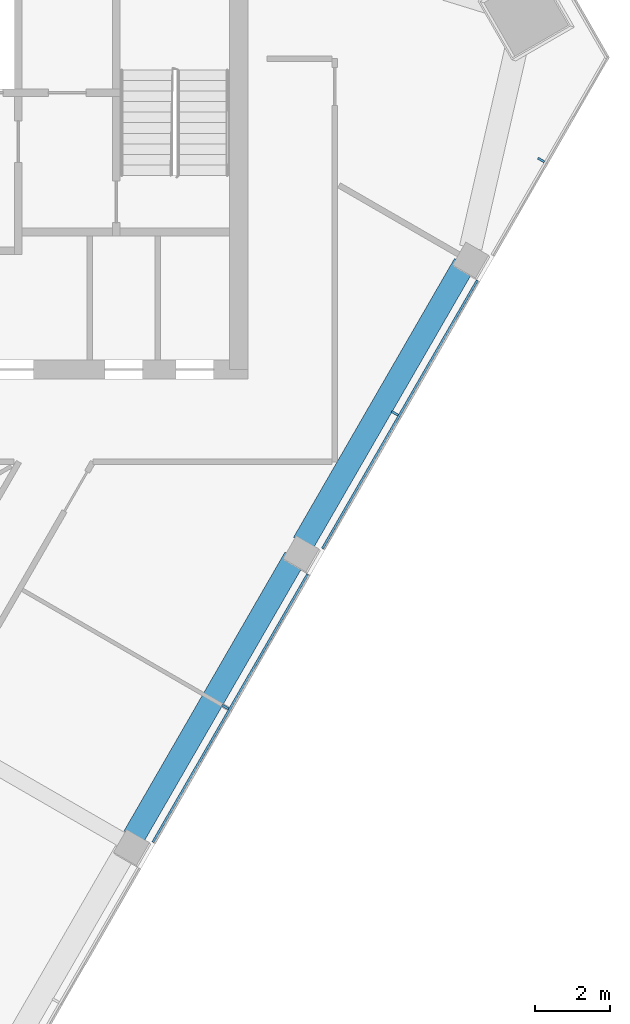
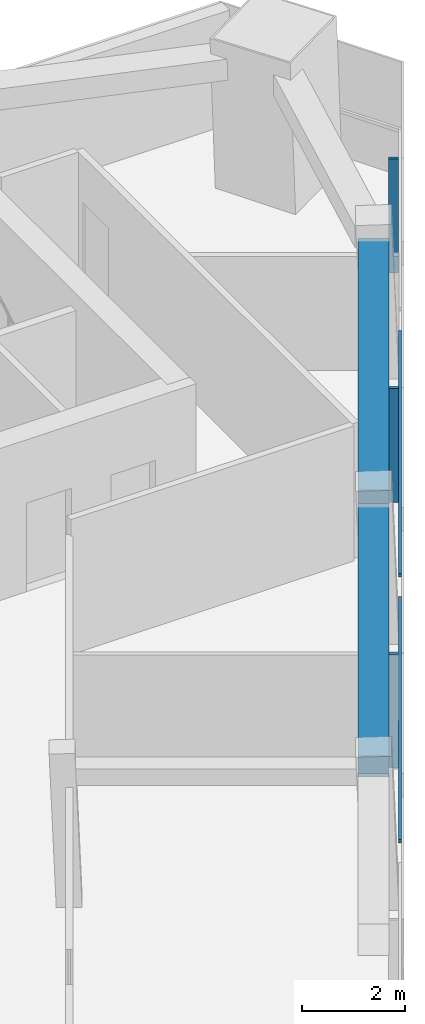
# One storey, part 4 of 9: 5 members, 2 beams, 1 element without a shape of its own.
"""IFC4 building model written with IfcOpenShell, lengths in metres."""

from ifc_helpers import new_model, si_unit, direction, frame, origin, origin_2d, place, context, subcontext, project, spatial, rectangle, extrude, material, layer, layer_set, material_profile, profile_set, type_object, element, aggregate, save


model = new_model("IFC4")

# Units and contexts
model_context = context("Model", 3, precision=1e-05, world=origin(), true_north=direction((0.0, 1.0)))
body_context = subcontext(model_context, "Body", "Model", "MODEL_VIEW")
ifc_project = project(units=[si_unit("LENGTHUNIT", "METRE"), si_unit("AREAUNIT", "SQUARE_METRE"), si_unit("VOLUMEUNIT", "CUBIC_METRE"), si_unit("PLANEANGLEUNIT", "RADIAN"), si_unit("MASSUNIT", "GRAM", prefix="KILO")], contexts=[model_context])

# Site, building, storey
site_placement = place(None, origin())
site = spatial("IfcSite", under=ifc_project, at=site_placement, CompositionType="ELEMENT")
building_placement = place(site_placement, origin())
building = spatial("IfcBuilding", under=site, at=building_placement, Name="Altiplano Prism Tower", CompositionType="ELEMENT")
storey_placement = place(building_placement, frame((0.0, 0.0, 302.199951171875)))
storey = spatial("IfcBuildingStorey", under=building, at=storey_placement, Name="L78", CompositionType="ELEMENT", Elevation=302.199951171875)

# Curtain wall, members
ifc_material_1 = material(Name="Aluminium and glass", Category="aluminium")
ifc_layer = layer(ifc_material_1, 0.303955078125)
ifc_layer_set = layer_set([ifc_layer], Name="Aluminium and glass")
curtain_wall_type = type_object("IfcCurtainWallType", Name="CW2 lounge-band unitised glazing", PredefinedType="NOTDEFINED", material=ifc_layer_set)
curtain_wall_placement = place(storey_placement, origin())
curtain_wall = element("IfcCurtainWall", 1, at=curtain_wall_placement, inside=storey, type_object=curtain_wall_type, Name="CW2 curtain wall south-east face L78", PredefinedType="NOTDEFINED")
ifc_material_2 = material(Name="Aluminium", Category="aluminium")
ifc_material_profile_1 = material_profile(ifc_material_2, rectangle(XDim=0.199951171875, YDim=0.06005859375, at=origin_2d()), Name="CW2 mullion 60 x 200")
ifc_profile_set_1 = profile_set([ifc_material_profile_1], Name="Aluminium")
member_type_1 = type_object("IfcMemberType", Name="CW2 mullion 60 x 200", PredefinedType="MULLION", material=ifc_profile_set_1)
member_1_placement = place(storey_placement, frame((96.89501953125, 84.193115234375, 0.0), z_axis=(0.0, 0.0, 1.0), x_axis=(-0.866025400564, 0.500000005577, 0.0)))
member_1 = element("IfcMember", 2, at=member_1_placement, type_object=member_type_1, Name="CW2 mullion", PredefinedType="MULLION", context=body_context, shape_type="SweptSolid", body=[
    extrude(rectangle(XDim=0.199951171875, YDim=0.06005859375, at=origin_2d()), origin(), (0.0, 0.0, 1.0), 2.699951171875),
])
member_2_placement = place(storey_placement, frame((101.39501953125, 91.9873046875, 0.0), z_axis=(0.0, 0.0, 1.0), x_axis=(-0.866025400564, 0.500000005577, 0.0)))
member_2 = element("IfcMember", 3, at=member_2_placement, type_object=member_type_1, Name="CW2 mullion", PredefinedType="MULLION", context=body_context, shape_type="SweptSolid", body=[
    extrude(rectangle(XDim=0.199951171875, YDim=0.06005859375, at=origin_2d()), origin(), (0.0, 0.0, 1.0), 2.699951171875),
])
member_3_placement = place(storey_placement, frame((105.27685546875, 98.7109375, 0.0), z_axis=(0.0, 0.0, 1.0), x_axis=(-0.866025400564, 0.500000005577, 0.0)))
member_3 = element("IfcMember", 4, at=member_3_placement, type_object=member_type_1, Name="CW2 mullion", PredefinedType="MULLION", context=body_context, shape_type="SweptSolid", body=[
    extrude(rectangle(XDim=0.199951171875, YDim=0.06005859375, at=origin_2d()), origin(), (0.0, 0.0, 1.0), 2.699951171875),
])
ifc_material_profile_2 = material_profile(ifc_material_2, rectangle(XDim=0.06005859375, YDim=0.080078125, at=origin_2d()), Name="CW2 transom 80 x 60")
ifc_profile_set_2 = profile_set([ifc_material_profile_2], Name="Aluminium")
member_type_2 = type_object("IfcMemberType", Name="CW2 transom 80 x 60", PredefinedType="USERDEFINED", material=ifc_profile_set_2)
member_4_placement = place(storey_placement, frame((94.972412109375, 80.60302734375, 1.10009765625), z_axis=(0.500013829788, 0.866017419005, 0.0), x_axis=(-0.866017419005, 0.500013829788, 0.0)))
member_4 = element("IfcMember", 5, at=member_4_placement, type_object=member_type_2, Name="CW2 transom", ObjectType="TRANSOM", PredefinedType="USERDEFINED", context=body_context, shape_type="SweptSolid", body=[
    extrude(rectangle(XDim=0.06005859375, YDim=0.080078125, at=origin_2d()), origin(), (0.0, 0.0, 1.0), 8.219970703125),
])
member_5_placement = place(storey_placement, frame((99.472412109375, 88.397216796875, 1.10009765625), z_axis=(0.500013829788, 0.866017419005, 0.0), x_axis=(-0.866017419005, 0.500013829788, 0.0)))
member_5 = element("IfcMember", 6, at=member_5_placement, type_object=member_type_2, Name="CW2 transom", ObjectType="TRANSOM", PredefinedType="USERDEFINED", context=body_context, shape_type="SweptSolid", body=[
    extrude(rectangle(XDim=0.06005859375, YDim=0.080078125, at=origin_2d()), origin(), (0.0, 0.0, 1.0), 8.219970703125),
])
aggregate(curtain_wall, [member_1, member_4, member_2, member_5, member_3])

# Beams
ifc_material_3 = material(Name="Concrete C60/75", Category="concrete")
ifc_material_profile_3 = material_profile(ifc_material_3, rectangle(XDim=0.60009765625, YDim=0.5, at=origin_2d()), Name="Edge beam 600x500")
ifc_profile_set_3 = profile_set([ifc_material_profile_3], Name="Concrete C60/75")
beam_type = type_object("IfcBeamType", Name="Edge beam 600x500", PredefinedType="SPANDREL", material=ifc_profile_set_3)
for number, where, z_axis, x_axis, name in (
    (7, (94.467041015625, 80.756591796875, 2.949951171875), (0.499994660107, 0.866028486751, 0.0), (-0.866028486751, 0.499994660107, 0.0), "Edge beam P22-P23 L79"),
    (8, (98.967041015625, 88.551025390625, 2.949951171875), (0.500007039007, 0.866021339774, 0.0), (-0.866021339774, 0.500007039007, 0.0), "Edge beam P23-P24 L79"),
):
    element("IfcBeam", number, at=place(storey_placement, frame(where, z_axis=z_axis, x_axis=x_axis)), inside=storey, type_object=beam_type, Name=name, PredefinedType="SPANDREL", context=body_context, shape_type="SweptSolid", body=[
        extrude(rectangle(XDim=0.60009765625, YDim=0.5, at=origin_2d()), origin(), (0.0, 0.0, 1.0), 8.5400390625),
    ])

save(model, "model.ifc")
